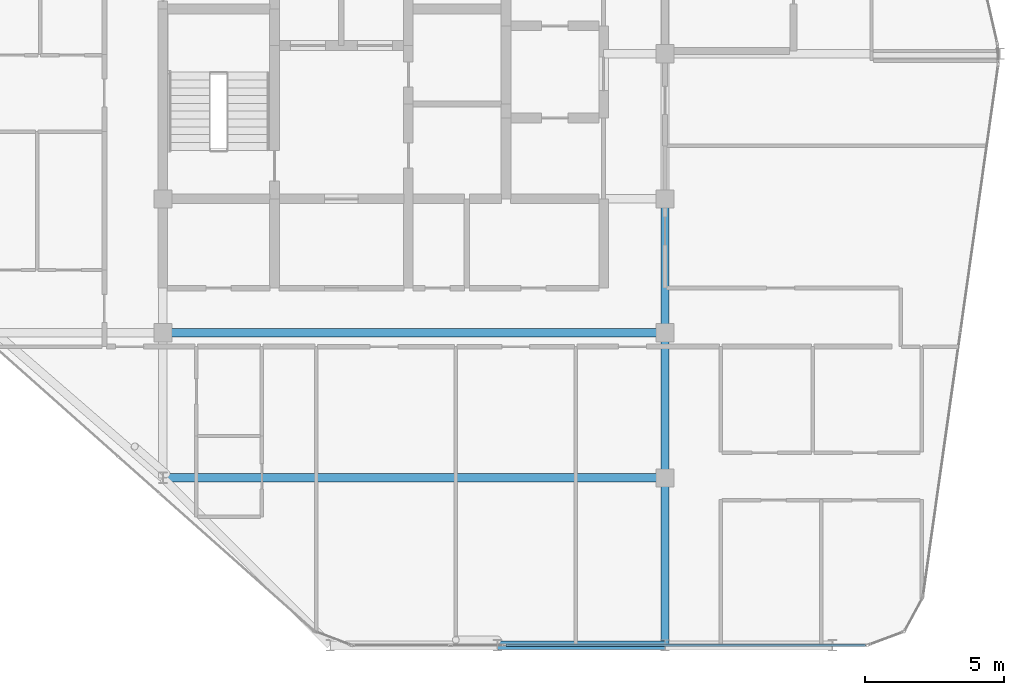
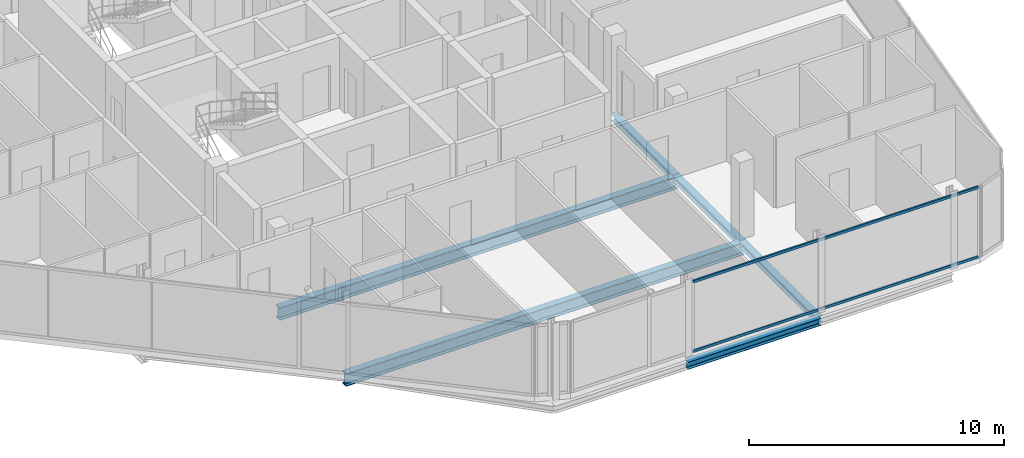
# One storey, part 7 of 27: 6 beams, 2 members, 1 element without a shape of its own.
"""IFC4 building model written with IfcOpenShell, lengths in metres."""

from ifc_helpers import new_model, si_unit, direction, frame, origin, origin_2d, place, context, subcontext, project, spatial, hollow_rectangle, i_section, extrude, material, layer, layer_set, material_profile, profile_set, type_object, element, aggregate, save


model = new_model("IFC4")

# Units and contexts
model_context = context("Model", 3, precision=1e-05, world=origin(), true_north=direction((0.0, 1.0)))
body_context = subcontext(model_context, "Body", "Model", "MODEL_VIEW")
ifc_project = project(units=[si_unit("LENGTHUNIT", "METRE"), si_unit("AREAUNIT", "SQUARE_METRE"), si_unit("VOLUMEUNIT", "CUBIC_METRE"), si_unit("PLANEANGLEUNIT", "RADIAN"), si_unit("MASSUNIT", "GRAM", prefix="KILO")], contexts=[model_context])

# Site, building, storey
site_placement = place(None, origin())
site = spatial("IfcSite", under=ifc_project, at=site_placement, CompositionType="ELEMENT")
building_placement = place(site_placement, origin())
building = spatial("IfcBuilding", under=site, at=building_placement, Name="Keshet Zoharim Tower", CompositionType="ELEMENT")
storey_placement = place(building_placement, frame((0.0, 0.0, 291.699951171875)))
storey = spatial("IfcBuildingStorey", under=building, at=storey_placement, Name="L73", CompositionType="ELEMENT", Elevation=291.699951171875)

# Beams
ifc_material_1 = material(Name="Steel S355", Category="steel")
ifc_material_profile_1 = material_profile(ifc_material_1, i_section(OverallWidth=0.300048828125, OverallDepth=0.60009765625, WebThickness=0.015380859375, FlangeThickness=0.030029296875, FilletRadius=0.027099609375, at=origin_2d()), Name="HEB600")
ifc_profile_set_1 = profile_set([ifc_material_profile_1], Name="Steel S355")
beam_type_1 = type_object("IfcBeamType", Name="BM-LNG-HB600", PredefinedType="BEAM", material=ifc_profile_set_1)
for number, where, z_axis, x_axis, name in (
    (1, (15.0, 12.699951171875, -0.60986328125), (1.0, 0.0, 0.0), (0.0, 1.0, 0.0), "L73 Primary Girder X-004"),
    (2, (15.0, 17.89990234375, -0.60986328125), (1.0, 0.0, 0.0), (0.0, 1.0, 0.0), "L73 Primary Girder X-006"),
):
    element("IfcBeam", number, at=place(storey_placement, frame(where, z_axis=z_axis, x_axis=x_axis)), inside=storey, type_object=beam_type_1, Name=name, PredefinedType="BEAM", context=body_context, shape_type="SweptSolid", body=[
        extrude(i_section(OverallWidth=0.300048828125, OverallDepth=0.60009765625, WebThickness=0.015380859375, FlangeThickness=0.030029296875, FilletRadius=0.027099609375, at=origin_2d()), origin(), (0.0, 0.0, 1.0), 18.0),
    ])
ifc_material_profile_2 = material_profile(ifc_material_1, i_section(OverallWidth=0.300048828125, OverallDepth=0.2900390625, WebThickness=0.008544921875, FlangeThickness=0.013916015625, FilletRadius=0.027099609375, at=origin_2d()), Name="HEA300")
ifc_profile_set_2 = profile_set([ifc_material_profile_2], Name="Steel S355")
beam_type_2 = type_object("IfcBeamType", Name="BM-PRI-HA300", PredefinedType="BEAM", material=ifc_profile_set_2)
beam_1_placement = place(storey_placement, frame((33.0, 6.699951171875, -0.454833984375), z_axis=(0.0, 1.0, 0.0), x_axis=(-1.0, 0.0, 0.0)))
element("IfcBeam", 3, at=beam_1_placement, inside=storey, type_object=beam_type_2, Name="L73 Primary Girder Y-004", PredefinedType="BEAM", context=body_context, shape_type="SweptSolid", body=[
    extrude(i_section(OverallWidth=0.300048828125, OverallDepth=0.2900390625, WebThickness=0.008544921875, FlangeThickness=0.013916015625, FilletRadius=0.027099609375, at=origin_2d()), origin(), (0.0, 0.0, 1.0), 6.0),
])
beam_2_placement = place(storey_placement, frame((33.0, 12.699951171875, -0.454833984375), z_axis=(0.0, 1.0, 0.0), x_axis=(-1.0, 0.0, 0.0)))
element("IfcBeam", 4, at=beam_2_placement, inside=storey, type_object=beam_type_2, Name="L73 Primary Girder Y-005", PredefinedType="BEAM", context=body_context, shape_type="SweptSolid", body=[
    extrude(i_section(OverallWidth=0.300048828125, OverallDepth=0.2900390625, WebThickness=0.008544921875, FlangeThickness=0.013916015625, FilletRadius=0.027099609375, at=origin_2d()), origin(), (0.0, 0.0, 1.0), 5.199951171875),
])
beam_3_placement = place(storey_placement, frame((33.0, 17.89990234375, -0.454833984375), z_axis=(0.0, 1.0, 0.0), x_axis=(-1.0, 0.0, 0.0)))
element("IfcBeam", 5, at=beam_3_placement, inside=storey, type_object=beam_type_2, Name="L73 Primary Girder Y-006", PredefinedType="BEAM", context=body_context, shape_type="SweptSolid", body=[
    extrude(i_section(OverallWidth=0.300048828125, OverallDepth=0.2900390625, WebThickness=0.008544921875, FlangeThickness=0.013916015625, FilletRadius=0.027099609375, at=origin_2d()), origin(), (0.0, 0.0, 1.0), 4.800048828125),
])
ifc_material_profile_3 = material_profile(ifc_material_1, i_section(OverallWidth=0.300048828125, OverallDepth=0.35009765625, WebThickness=0.010009765625, FlangeThickness=0.017578125, FilletRadius=0.027099609375, at=origin_2d()), Name="HEA360")
ifc_profile_set_3 = profile_set([ifc_material_profile_3], Name="Steel S355")
beam_type_3 = type_object("IfcBeamType", Name="BM-PRI-HA360", PredefinedType="BEAM", material=ifc_profile_set_3)
beam_4_placement = place(storey_placement, frame((27.0, 6.699951171875, -0.48486328125), z_axis=(1.0, 0.0, 0.0), x_axis=(0.0, 1.0, 0.0)))
element("IfcBeam", 6, at=beam_4_placement, inside=storey, type_object=beam_type_3, Name="L73 Primary Girder X-002", PredefinedType="BEAM", context=body_context, shape_type="SweptSolid", body=[
    extrude(i_section(OverallWidth=0.300048828125, OverallDepth=0.35009765625, WebThickness=0.010009765625, FlangeThickness=0.017578125, FilletRadius=0.027099609375, at=origin_2d()), origin(), (0.0, 0.0, 1.0), 6.0),
])

# Curtain wall, members
ifc_material_2 = material(Name="Aluminium 6063-T6", Category="aluminium")
ifc_layer = layer(ifc_material_2, 0.260009765625)
ifc_layer_set = layer_set([ifc_layer], Name="Aluminium 6063-T6")
curtain_wall_type = type_object("IfcCurtainWallType", Name="CW-SYS-06", PredefinedType="NOTDEFINED", material=ifc_layer_set)
curtain_wall_placement = place(storey_placement, origin())
curtain_wall = element("IfcCurtainWall", 7, at=curtain_wall_placement, inside=storey, type_object=curtain_wall_type, Name="L73 Unitised Curtain Wall 14", PredefinedType="NOTDEFINED")
ifc_material_profile_4 = material_profile(ifc_material_2, hollow_rectangle(XDim=0.074951171875, YDim=0.1201171875, WallThickness=0.00390625, at=origin_2d()), Name="TRN-75x120")
ifc_profile_set_4 = profile_set([ifc_material_profile_4], Name="Aluminium 6063-T6")
member_type = type_object("IfcMemberType", Name="CWT-T12", PredefinedType="USERDEFINED", material=ifc_profile_set_4)
member_1_placement = place(storey_placement, frame((40.193115234375, 6.699951171875, 0.03515625), z_axis=(-1.0, 0.0, 0.0), x_axis=(0.0, -1.0, 0.0)))
member_1 = element("IfcMember", 8, at=member_1_placement, type_object=member_type, Name="CW-06 transom 1.1", ObjectType="TRANSOM", PredefinedType="USERDEFINED", context=body_context, shape_type="SweptSolid", body=[
    extrude(hollow_rectangle(XDim=0.074951171875, YDim=0.1201171875, WallThickness=0.00390625, at=origin_2d()), origin(), (0.0, 0.0, 1.0), 12.898193359375),
])
member_2_placement = place(storey_placement, frame((40.193115234375, 6.699951171875, 3.35498046875), z_axis=(-1.0, 0.0, 0.0), x_axis=(0.0, -1.0, 0.0)))
member_2 = element("IfcMember", 9, at=member_2_placement, type_object=member_type, Name="CW-06 transom 1.2", ObjectType="TRANSOM", PredefinedType="USERDEFINED", context=body_context, shape_type="SweptSolid", body=[
    extrude(hollow_rectangle(XDim=0.074951171875, YDim=0.1201171875, WallThickness=0.00390625, at=origin_2d()), origin(), (0.0, 0.0, 1.0), 12.898193359375),
])
aggregate(curtain_wall, [member_1, member_2])

save(model, "model.ifc")
